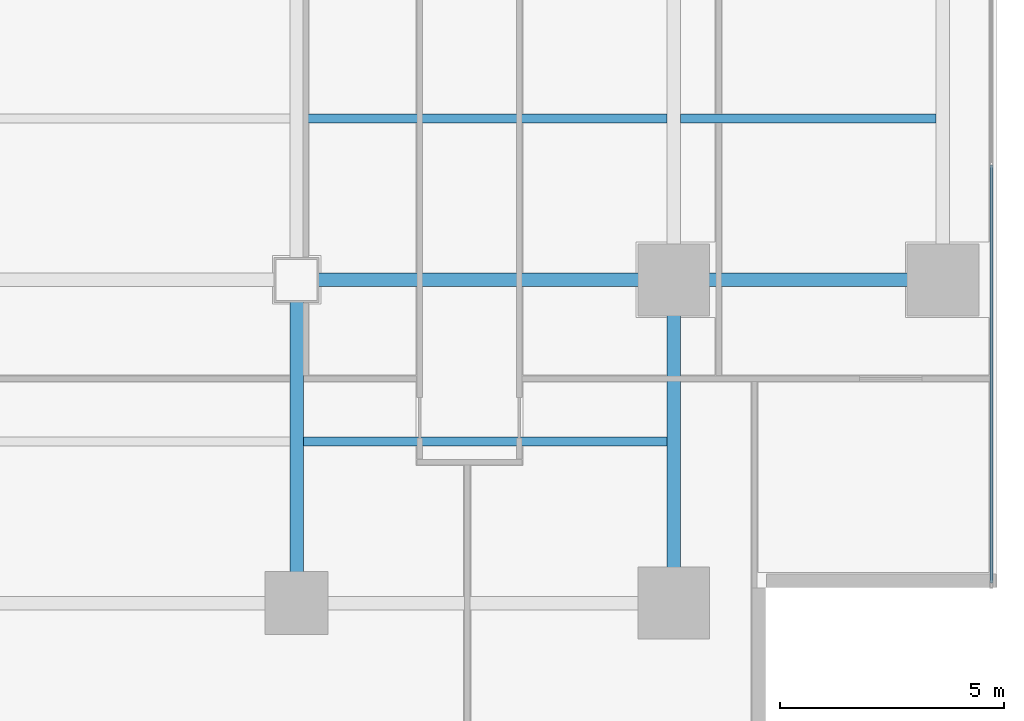
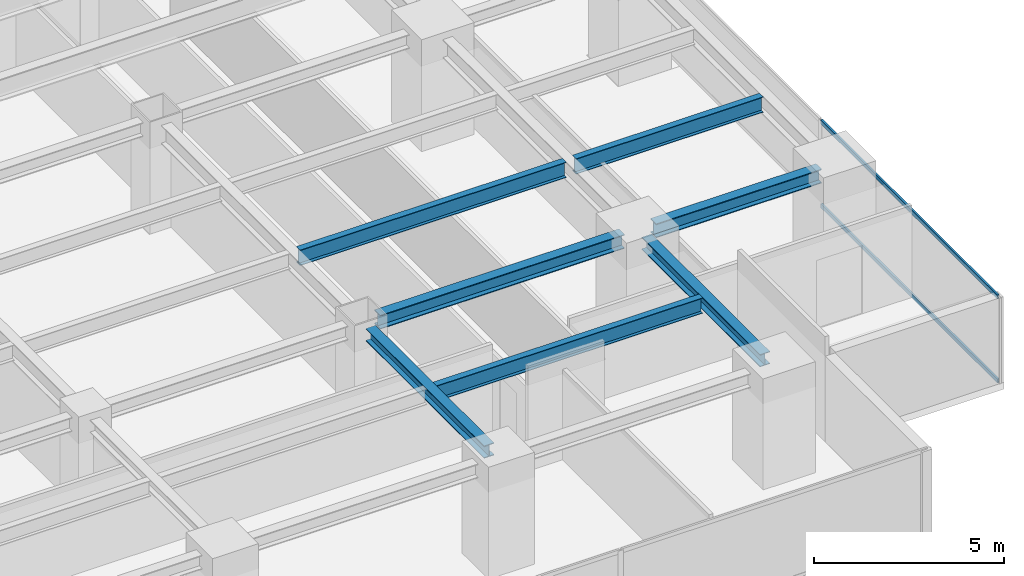
# One storey, part 10 of 28: 7 beams, 2 members, 1 element without a shape of its own.
"""IFC4 building model written with IfcOpenShell, lengths in metres."""

import ifcopenshell
import ifcopenshell.guid

model = None  # the IFC model being written
_history = None  # IfcOwnerHistory: only IFC2X3 demands one
_inside = {}  # id of a spatial element -> (the spatial element, [elements in it])
_under = {}  # id of a project, library or spatial element -> (it, [spatial elements below it])
_declared = {}  # id of a project -> (the project, [libraries it declares])
_typed = {}  # id of a type object -> (the type object, [elements of that type])
_made_of = {}  # id of a material, layer set ... -> (it, [elements and type objects made of it])


def new_model(schema):
    """Start an empty IFC model of exactly this schema.

    Asked for "IFC4X3", IfcOpenShell would pick the latest addendum, in which some entities
    have other attributes; the version numbers below select the first issue.
    IFC2X3 requires an IfcOwnerHistory on every rooted entity: one is made here for all.
    """
    global model, _history
    if schema == "IFC4X3":
        model = ifcopenshell.file(schema_version=(4, 3, 0, 0))
    else:
        model = ifcopenshell.file(schema=schema)
    _inside.clear()
    _under.clear()
    _declared.clear()
    _typed.clear()
    _made_of.clear()
    _history = None
    if model.schema == "IFC2X3":
        org = make("IfcOrganization", Name="unknown")
        user = make(
            "IfcPersonAndOrganization",
            ThePerson=make("IfcPerson", FamilyName="unknown"),
            TheOrganization=org,
        )
        app = make(
            "IfcApplication",
            ApplicationDeveloper=org,
            Version="unknown",
            ApplicationFullName="unknown",
            ApplicationIdentifier="unknown",
        )
        _history = make(
            "IfcOwnerHistory",
            OwningUser=user,
            OwningApplication=app,
            ChangeAction="ADDED",
            CreationDate=0,
        )
    return model


def make(cls, **values):
    """One entity of the class cls with the attributes given. An attribute that is None is left unset."""
    return model.create_entity(
        cls, **{name: value for name, value in values.items() if value is not None}
    )


def rooted(cls, **values):
    """An entity with a GlobalId (a new one), such as an element, a storey or a relation."""
    return make(cls, GlobalId=ifcopenshell.guid.new(), OwnerHistory=_history, **values)


def si_unit(unit_type, name, prefix=None):
    """IfcSIUnit, for example si_unit("LENGTHUNIT", "METRE", prefix="MILLI")."""
    return make("IfcSIUnit", UnitType=unit_type, Prefix=prefix, Name=name)


def assignment(units):
    """IfcUnitAssignment: the units of a project."""
    return None if units is None else make("IfcUnitAssignment", Units=units)


def point(xyz):
    """IfcCartesianPoint."""
    return None if xyz is None else make("IfcCartesianPoint", Coordinates=xyz)


def direction(xyz):
    """IfcDirection."""
    return None if xyz is None else make("IfcDirection", DirectionRatios=xyz)


def frame(location, z_axis=None, x_axis=None):
    """IfcAxis2Placement3D, a coordinate frame: its origin and axes. An axis left out is left unset."""
    return make(
        "IfcAxis2Placement3D",
        Location=point(location),
        Axis=direction(z_axis),
        RefDirection=direction(x_axis),
    )


def frame_2d(location, x_axis=None):
    """IfcAxis2Placement2D, a coordinate frame in the plane: its origin and x axis."""
    return make(
        "IfcAxis2Placement2D", Location=point(location), RefDirection=direction(x_axis)
    )


def origin():
    """The frame at (0, 0, 0) with its axes left unset."""
    return frame((0.0, 0.0, 0.0))


def origin_2d():
    """The frame at (0, 0) in the plane with its x axis left unset."""
    return frame_2d((0.0, 0.0))


def place(relative_to, where):
    """IfcLocalPlacement: puts the frame where relative to a parent placement (None: the world)."""
    return make(
        "IfcLocalPlacement", PlacementRelTo=relative_to, RelativePlacement=where
    )


def context(
    kind, dimensions, precision=None, world=None, true_north=None, identifier=None
):
    """IfcGeometricRepresentationContext, for example the 3D "Model" context."""
    return make(
        "IfcGeometricRepresentationContext",
        ContextIdentifier=identifier,
        ContextType=kind,
        CoordinateSpaceDimension=dimensions,
        Precision=precision,
        WorldCoordinateSystem=world,
        TrueNorth=true_north,
    )


def subcontext(parent, identifier, kind, view, scale=None):
    """IfcGeometricRepresentationSubContext, for example "Body" below "Model"."""
    return make(
        "IfcGeometricRepresentationSubContext",
        ContextIdentifier=identifier,
        ContextType=kind,
        ParentContext=parent,
        TargetScale=scale,
        TargetView=view,
    )


def project(units=None, contexts=None):
    """IfcProject with its units and contexts."""
    return rooted(
        "IfcProject",
        Name="project",
        RepresentationContexts=contexts,
        UnitsInContext=assignment(units),
    )


def spatial(cls, under=None, at=None, **own):
    """A site, building, storey or space (cls), placed at a placement, below another one or the project."""
    s = rooted(cls, ObjectPlacement=at, **own)
    if under is not None:
        _under.setdefault(under.id(), (under, []))[1].append(s)
    return s


def profile(cls, at=None, kind="AREA", **sizes):
    """A parametric profile (cls). Its sizes go by their IFC names, for example OverallWidth=200.0."""
    return make(cls, ProfileType=kind, Position=at, **sizes)


def hollow_rectangle(**sizes):
    """IfcRectangleHollowProfileDef."""
    return profile("IfcRectangleHollowProfileDef", **sizes)


def i_section(**sizes):
    """IfcIShapeProfileDef."""
    return profile("IfcIShapeProfileDef", **sizes)


def extrude(swept, where, along, depth):
    """IfcExtrudedAreaSolid: the profile swept, set in the frame where, extruded along a direction by depth."""
    return make(
        "IfcExtrudedAreaSolid",
        SweptArea=swept,
        Position=where,
        ExtrudedDirection=direction(along),
        Depth=depth,
    )


def shape(context_of_items, identifier, shape_type, items):
    """IfcShapeRepresentation: the items that make up one representation, for example the "Body"."""
    return make(
        "IfcShapeRepresentation",
        ContextOfItems=context_of_items,
        RepresentationIdentifier=identifier,
        RepresentationType=shape_type,
        Items=items,
    )


def source(mapping_origin, context_of_items, identifier, shape_type, items):
    """IfcRepresentationMap: a shape defined once, which mapped items show again and again."""
    return make(
        "IfcRepresentationMap",
        MappingOrigin=mapping_origin,
        MappedRepresentation=shape(context_of_items, identifier, shape_type, items),
    )


def transform(
    local_origin,
    x_axis=None,
    y_axis=None,
    z_axis=None,
    scale=None,
    scale2=None,
    scale3=None,
    uniform=True,
):
    """IfcCartesianTransformationOperator3D, or its non-uniform kind. x_axis, y_axis, z_axis: its Axis1, 2, 3."""
    if uniform:
        return make(
            "IfcCartesianTransformationOperator3D",
            Axis1=direction(x_axis),
            Axis2=direction(y_axis),
            LocalOrigin=point(local_origin),
            Scale=scale,
            Axis3=direction(z_axis),
        )
    return make(
        "IfcCartesianTransformationOperator3DnonUniform",
        Axis1=direction(x_axis),
        Axis2=direction(y_axis),
        LocalOrigin=point(local_origin),
        Scale=scale,
        Axis3=direction(z_axis),
        Scale2=scale2,
        Scale3=scale3,
    )


def mapped(mapping_source, mapping_target):
    """IfcMappedItem: shows the shape of a source again, moved by a transform."""
    return make(
        "IfcMappedItem", MappingSource=mapping_source, MappingTarget=mapping_target
    )


def material(Name=None, Category=None):
    """IfcMaterial."""
    return make("IfcMaterial", Name=Name, Category=Category)


def layer(
    of_material, thickness, ventilated=None, Name=None, Category=None, Priority=None
):
    """IfcMaterialLayer: one layer of a wall or slab, of a material (None: an air gap)."""
    return make(
        "IfcMaterialLayer",
        Material=of_material,
        LayerThickness=thickness,
        IsVentilated=ventilated,
        Name=Name,
        Category=Category,
        Priority=Priority,
    )


def layer_set(layers, Name=None):
    """IfcMaterialLayerSet."""
    return make("IfcMaterialLayerSet", MaterialLayers=layers, LayerSetName=Name)


def material_profile(
    of_material, cross_section, Name=None, Category=None, Priority=None
):
    """IfcMaterialProfile: a cross section and its material."""
    return make(
        "IfcMaterialProfile",
        Name=Name,
        Material=of_material,
        Profile=cross_section,
        Priority=Priority,
        Category=Category,
    )


def profile_set(profiles, Name=None, composite=None):
    """IfcMaterialProfileSet."""
    return make(
        "IfcMaterialProfileSet",
        Name=Name,
        MaterialProfiles=profiles,
        CompositeProfile=composite,
    )


def made_of(thing, what):
    """Note that an element or type object is made of a material, layer set ...; save() writes the relation."""
    if what is not None:
        _made_of.setdefault(what.id(), (what, []))[1].append(thing)
    return thing


def type_object(cls, material=None, **own):
    """A type object (cls), such as IfcWallType, which elements share."""
    return made_of(rooted(cls, **own), material)


def element(
    cls,
    number,
    at=None,
    inside=None,
    cuts=None,
    type_object=None,
    material=None,
    context=None,
    identifier="Body",
    shape_type=None,
    held_by="IfcProductDefinitionShape",
    body=None,
    shapes=None,
    **own,
):
    """One element of the class cls, such as IfcWall. Its Tag is "e" and its number.

    at: its placement. inside: the storey or other place that contains it. cuts: it is an
    opening in that element (IfcRelVoidsElement). A single representation is given by context,
    identifier, shape_type and body (its items); several are given by shapes. held_by: the class
    of the entity that holds the representations. save() writes the other relations.
    """
    e = rooted(cls, Tag="e%d" % number, ObjectPlacement=at, **own)
    if body is not None:
        shapes = [shape(context, identifier, shape_type, body)]
    if shapes is not None:
        e.Representation = make(held_by, Representations=shapes)
    if inside is not None:
        _inside.setdefault(inside.id(), (inside, []))[1].append(e)
    if cuts is not None:
        rooted(
            "IfcRelVoidsElement", RelatingBuildingElement=cuts, RelatedOpeningElement=e
        )
    if type_object is not None:
        _typed.setdefault(type_object.id(), (type_object, []))[1].append(e)
    return made_of(e, material)


def aggregate(whole, parts):
    """IfcRelAggregates: a whole, such as a stair, and the parts it consists of."""
    return rooted("IfcRelAggregates", RelatingObject=whole, RelatedObjects=parts)


def save(model, path):
    """Write the relations noted so far, then the file.

    IfcRelAggregates (storeys below a building ...), IfcRelContainedInSpatialStructure (elements
    in a storey), IfcRelDefinesByType, IfcRelAssociatesMaterial and IfcRelDeclares: one each for
    every whole, place, type object, material and project.
    """
    for whole, parts in _under.values():
        aggregate(whole, parts)
    for where, things in _inside.values():
        rooted(
            "IfcRelContainedInSpatialStructure",
            RelatedElements=things,
            RelatingStructure=where,
        )
    for kind, things in _typed.values():
        rooted("IfcRelDefinesByType", RelatedObjects=things, RelatingType=kind)
    for what, things in _made_of.values():
        rooted("IfcRelAssociatesMaterial", RelatedObjects=things, RelatingMaterial=what)
    for by, libraries in _declared.values():
        rooted("IfcRelDeclares", RelatingContext=by, RelatedDefinitions=libraries)
    model.write(path)


model = new_model("IFC4")

# Units and contexts
model_context = context("Model", 3, precision=1e-05, world=origin(), true_north=direction((0.0, 1.0)))
body_context = subcontext(model_context, "Body", "Model", "MODEL_VIEW")
ifc_project = project(units=[si_unit("LENGTHUNIT", "METRE"), si_unit("AREAUNIT", "SQUARE_METRE"), si_unit("VOLUMEUNIT", "CUBIC_METRE"), si_unit("PLANEANGLEUNIT", "RADIAN"), si_unit("MASSUNIT", "GRAM", prefix="KILO")], contexts=[model_context])

# Site, building, storey
site_placement = place(None, origin())
site = spatial("IfcSite", under=ifc_project, at=site_placement, CompositionType="ELEMENT")
building_placement = place(site_placement, origin())
building = spatial("IfcBuilding", under=site, at=building_placement, Name="Sumidabori Civic Tower", CompositionType="ELEMENT")
storey_placement = place(building_placement, frame((0.0, 0.0, 178.39990234375)))
storey = spatial("IfcBuildingStorey", under=building, at=storey_placement, Name="L46", CompositionType="ELEMENT", Elevation=178.39990234375)

# Beams
ifc_material_1 = material(Name="Steel SN490", Category="steel")
ifc_material_profile_1 = material_profile(ifc_material_1, i_section(OverallWidth=0.300048828125, OverallDepth=0.39990234375, WebThickness=0.013427734375, FlangeThickness=0.02392578125, at=origin_2d()), Name="HE 400 B")
ifc_profile_set_1 = profile_set([ifc_material_profile_1], Name="Steel SN490")
beam_type_1 = type_object("IfcBeamType", Name="BM-GIRD-400", PredefinedType="BEAM", material=ifc_profile_set_1)
shared_shape_1 = source(origin(), body_context, "Body", "SweptSolid", [
    extrude(i_section(OverallWidth=0.300048828125, OverallDepth=0.39990234375, WebThickness=0.013427734375, FlangeThickness=0.02392578125, at=origin_2d()), origin(), (0.0, 0.0, 1.0), 6.239990234375),
])
for number, where, z_axis, x_axis, name in (
    (1, (8.39990234375, -17.52001953125, 3.18017578125), (0.0, 1.0, 0.0), (-1.0, 0.0, 0.0), "Primary Girder L46 GY-30"),
    (2, (16.800048828125, -17.52001953125, 3.18017578125), (0.0, 1.0, 0.0), (-1.0, 0.0, 0.0), "Primary Girder L46 GY-32"),
):
    element("IfcBeam", number, at=place(storey_placement, frame(where, z_axis=z_axis, x_axis=x_axis)), inside=storey, type_object=beam_type_1, Name=name, PredefinedType="BEAM", context=body_context, shape_type="MappedRepresentation", body=[
        mapped(shared_shape_1, transform((0.0, 0.0, 0.0), x_axis=(1.0, 0.0, 0.0), y_axis=(0.0, 1.0, 0.0), z_axis=(0.0, 0.0, 1.0), scale=1.0)),
    ])
ifc_material_profile_2 = material_profile(ifc_material_1, i_section(OverallWidth=0.199951171875, OverallDepth=0.5, WebThickness=0.01025390625, FlangeThickness=0.01611328125, at=origin_2d()), Name="IPE 500")
ifc_profile_set_2 = profile_set([ifc_material_profile_2], Name="Steel SN490")
beam_type_2 = type_object("IfcBeamType", Name="BM-JST-500", PredefinedType="JOIST", material=ifc_profile_set_2)
shared_shape_2 = source(origin(), body_context, "Body", "SweptSolid", [
    extrude(i_section(OverallWidth=0.199951171875, OverallDepth=0.5, WebThickness=0.01025390625, FlangeThickness=0.01611328125, at=origin_2d()), origin(), (0.0, 0.0, 1.0), 5.699951171875),
])
beam_1_placement = place(storey_placement, frame((16.949951171875, -7.199951171875, 3.130126953125), z_axis=(1.0, 0.0, 0.0), x_axis=(0.0, 1.0, 0.0)))
element("IfcBeam", 3, at=beam_1_placement, inside=storey, type_object=beam_type_2, Name="Outer Bay Floor Joist L46 JSTO-40", PredefinedType="JOIST", context=body_context, shape_type="MappedRepresentation", body=[
    mapped(shared_shape_2, transform((0.0, 0.0, 0.0), x_axis=(1.0, 0.0, 0.0), y_axis=(0.0, 1.0, 0.0), z_axis=(0.0, 0.0, 1.0), scale=1.0)),
])
shared_shape_3 = source(origin(), body_context, "Body", "SweptSolid", [
    extrude(i_section(OverallWidth=0.199951171875, OverallDepth=0.5, WebThickness=0.01025390625, FlangeThickness=0.01611328125, at=origin_2d()), origin(), (0.0, 0.0, 1.0), 8.099853515625),
])
for number, where, z_axis, x_axis, name in (
    (4, (8.550048828125, -14.39990234375, 3.130126953125), (1.0, 0.0, 0.0), (0.0, 1.0, 0.0), "South Bay Floor Joist L46 JSTS-52"),
    (5, (8.550048828125, -7.199951171875, 3.130126953125), (1.0, 0.0, 0.0), (0.0, 1.0, 0.0), "South Bay Floor Joist L46 JSTS-56"),
):
    element("IfcBeam", number, at=place(storey_placement, frame(where, z_axis=z_axis, x_axis=x_axis)), inside=storey, type_object=beam_type_2, Name=name, PredefinedType="JOIST", context=body_context, shape_type="MappedRepresentation", body=[
        mapped(shared_shape_3, transform((0.0, 0.0, 0.0), x_axis=(1.0, 0.0, 0.0), y_axis=(0.0, 1.0, 0.0), z_axis=(0.0, 0.0, 1.0), scale=1.0)),
    ])
ifc_material_profile_3 = material_profile(ifc_material_1, i_section(OverallWidth=0.300048828125, OverallDepth=0.449951171875, WebThickness=0.013916015625, FlangeThickness=0.02587890625, at=origin_2d()), Name="HE 450 B")
ifc_profile_set_3 = profile_set([ifc_material_profile_3], Name="Steel SN490")
beam_type_3 = type_object("IfcBeamType", Name="BM-GIRD-450", PredefinedType="BEAM", material=ifc_profile_set_3)
shared_shape_4 = source(origin(), body_context, "Body", "SweptSolid", [
    extrude(i_section(OverallWidth=0.300048828125, OverallDepth=0.449951171875, WebThickness=0.013916015625, FlangeThickness=0.02587890625, at=origin_2d()), origin(), (0.0, 0.0, 1.0), 7.440185546875),
])
beam_2_placement = place(storey_placement, frame((8.8798828125, -10.800048828125, 3.155029296875), z_axis=(1.0, 0.0, 0.0), x_axis=(0.0, 1.0, 0.0)))
element("IfcBeam", 6, at=beam_2_placement, inside=storey, type_object=beam_type_3, Name="Primary Girder L46 GX-09", PredefinedType="BEAM", context=body_context, shape_type="MappedRepresentation", body=[
    mapped(shared_shape_4, transform((0.0, 0.0, 0.0), x_axis=(1.0, 0.0, 0.0), y_axis=(0.0, 1.0, 0.0), z_axis=(0.0, 0.0, 1.0), scale=1.0)),
])
shared_shape_5 = source(origin(), body_context, "Body", "SweptSolid", [
    extrude(i_section(OverallWidth=0.300048828125, OverallDepth=0.449951171875, WebThickness=0.013916015625, FlangeThickness=0.02587890625, at=origin_2d()), origin(), (0.0, 0.0, 1.0), 5.0400390625),
])
beam_3_placement = place(storey_placement, frame((17.280029296875, -10.800048828125, 3.155029296875), z_axis=(1.0, 0.0, 0.0), x_axis=(0.0, 1.0, 0.0)))
element("IfcBeam", 7, at=beam_3_placement, inside=storey, type_object=beam_type_3, Name="Primary Girder L46 GX-10", PredefinedType="BEAM", context=body_context, shape_type="MappedRepresentation", body=[
    mapped(shared_shape_5, transform((0.0, 0.0, 0.0), x_axis=(1.0, 0.0, 0.0), y_axis=(0.0, 1.0, 0.0), z_axis=(0.0, 0.0, 1.0), scale=1.0)),
])

# Curtain wall, members
ifc_material_2 = material(Name="Anodised Bronze Aluminium AW-6063-T6", Category="aluminium")
ifc_layer = layer(ifc_material_2, 0.179931640625, Name="Anodised Bronze Aluminium AW-6063-T6")
ifc_layer_set = layer_set([ifc_layer], Name="Anodised Bronze Aluminium AW-6063-T6")
curtain_wall_type = type_object("IfcCurtainWallType", Name="CW-SYS-3", PredefinedType="NOTDEFINED", material=ifc_layer_set)
curtain_wall_placement = place(storey_placement, origin())
curtain_wall = element("IfcCurtainWall", 8, at=curtain_wall_placement, inside=storey, type_object=curtain_wall_type, Name="Curtain Wall CW:L46:R04", PredefinedType="NOTDEFINED")
ifc_material_profile_4 = material_profile(ifc_material_2, hollow_rectangle(XDim=0.06005859375, YDim=0.1298828125, WallThickness=0.0048828125, at=origin_2d()), Name="ALU TRANSOM 130x60")
ifc_profile_set_4 = profile_set([ifc_material_profile_4], Name="Anodised Bronze Aluminium AW-6063-T6")
member_type = type_object("IfcMemberType", Name="CW-TRN-130", PredefinedType="USERDEFINED", material=ifc_profile_set_4)
shared_shape_6 = source(origin(), body_context, "Body", "SweptSolid", [
    extrude(hollow_rectangle(XDim=0.06005859375, YDim=0.1298828125, WallThickness=0.0048828125, at=origin_2d()), origin(), (0.0, 0.0, 1.0), 9.3125),
])
member_1_placement = place(storey_placement, frame((23.8798828125, -17.554931640625, 0.030029296875), z_axis=(0.0, 1.0, 0.0), x_axis=(-1.0, 0.0, 0.0)))
member_1 = element("IfcMember", 9, at=member_1_placement, type_object=member_type, Name="CW-3 transom 1.1", ObjectType="TRANSOM", PredefinedType="USERDEFINED", context=body_context, shape_type="MappedRepresentation", body=[
    mapped(shared_shape_6, transform((0.0, 0.0, 0.0), x_axis=(1.0, 0.0, 0.0), y_axis=(0.0, 1.0, 0.0), z_axis=(0.0, 0.0, 1.0), scale=1.0)),
])
member_2_placement = place(storey_placement, frame((23.8798828125, -17.554931640625, 2.72998046875), z_axis=(0.0, 1.0, 0.0), x_axis=(-1.0, 0.0, 0.0)))
member_2 = element("IfcMember", 10, at=member_2_placement, type_object=member_type, Name="CW-3 transom 1.2", ObjectType="TRANSOM", PredefinedType="USERDEFINED", context=body_context, shape_type="MappedRepresentation", body=[
    mapped(shared_shape_6, transform((0.0, 0.0, 0.0), x_axis=(1.0, 0.0, 0.0), y_axis=(0.0, 1.0, 0.0), z_axis=(0.0, 0.0, 1.0), scale=1.0)),
])
aggregate(curtain_wall, [member_1, member_2])

save(model, "model.ifc")
